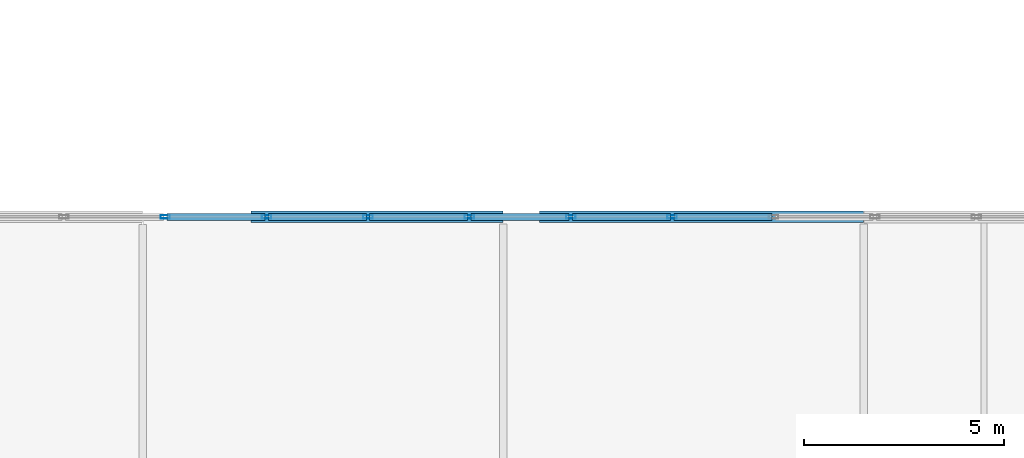
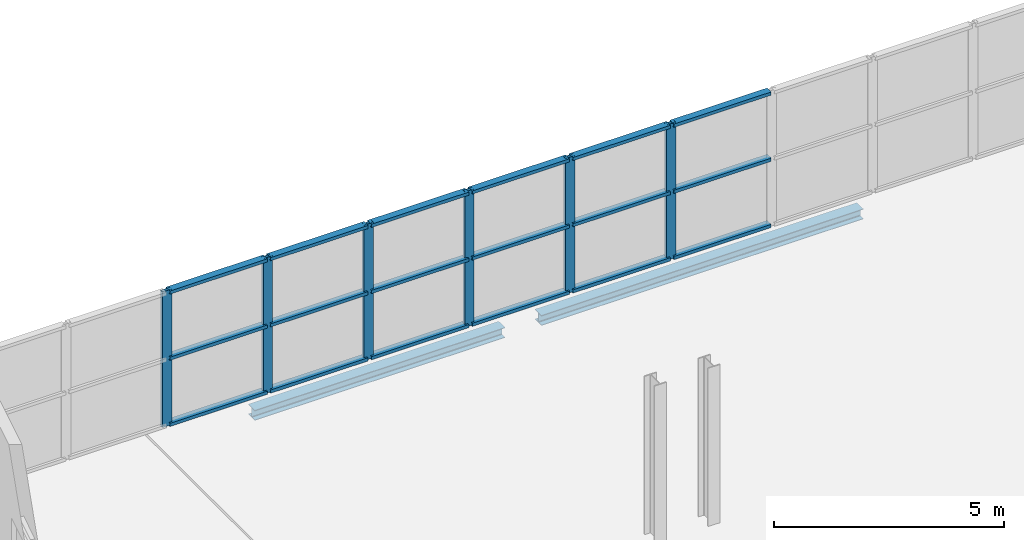
# One storey, part 61 of 88: 24 members, 2 beams, 1 element without a shape of its own.
"""IFC4 building model written with IfcOpenShell, lengths in metres."""

from ifc_helpers import new_model, si_unit, direction, frame, origin, origin_2d, place, context, subcontext, project, spatial, hollow_rectangle, i_section, extrude, material, layer, layer_set, material_profile, profile_set, type_object, element, aggregate, save


model = new_model("IFC4")

# Units and contexts
model_context = context("Model", 3, precision=1e-05, world=origin(), true_north=direction((0.0, 1.0)))
body_context = subcontext(model_context, "Body", "Model", "MODEL_VIEW")
ifc_project = project(units=[si_unit("LENGTHUNIT", "METRE"), si_unit("AREAUNIT", "SQUARE_METRE"), si_unit("VOLUMEUNIT", "CUBIC_METRE"), si_unit("PLANEANGLEUNIT", "RADIAN"), si_unit("MASSUNIT", "GRAM", prefix="KILO")], contexts=[model_context])

# Site, building, storey
site_placement = place(None, origin())
site = spatial("IfcSite", under=ifc_project, at=site_placement, CompositionType="ELEMENT")
building_placement = place(site_placement, origin())
building = spatial("IfcBuilding", under=site, at=building_placement, Name="Deido Ridge Mobility Hub", CompositionType="ELEMENT")
storey_placement = place(building_placement, frame((0.0, 0.0, 16.800048828125)))
storey = spatial("IfcBuildingStorey", under=building, at=storey_placement, Name="L04", CompositionType="ELEMENT", Elevation=16.800048828125)

# Curtain wall, members
ifc_material_1 = material(Name="Anodised aluminium EN AW-6063 T6", Category="aluminium")
ifc_layer = layer(ifc_material_1, 0.132080078125, Name="Anodised aluminium EN AW-6063 T6")
ifc_layer_set = layer_set([ifc_layer], Name="Anodised aluminium EN AW-6063 T6")
curtain_wall_type = type_object("IfcCurtainWallType", Name="CW-GS-1", PredefinedType="USERDEFINED", material=ifc_layer_set)
curtain_wall_placement = place(storey_placement, origin())
curtain_wall = element("IfcCurtainWall", 1, at=curtain_wall_placement, inside=storey, type_object=curtain_wall_type, Name="Unitised curtain wall GS1", ObjectType="GLAZED SCREEN", PredefinedType="USERDEFINED")
ifc_material_profile_1 = material_profile(ifc_material_1, hollow_rectangle(XDim=0.0849609375, YDim=0.235107421875, WallThickness=0.00390625, at=origin_2d()), Name="RHS 85x235x4")
ifc_profile_set_1 = profile_set([ifc_material_profile_1], Name="Anodised aluminium EN AW-6063 T6")
member_type_1 = type_object("IfcMemberType", Name="MEM-MUL-85X235", PredefinedType="MULLION", material=ifc_profile_set_1)
member_1_placement = place(storey_placement, frame((144.5625, 72.0, 0.0), z_axis=(0.0, 0.0, 1.0), x_axis=(0.0, 1.0, 0.0)))
member_1 = element("IfcMember", 2, at=member_1_placement, type_object=member_type_1, Name="GS1 mullion 3", PredefinedType="MULLION", context=body_context, shape_type="SweptSolid", body=[
    extrude(hollow_rectangle(XDim=0.0849609375, YDim=0.235107421875, WallThickness=0.00390625, at=origin_2d()), origin(), (0.0, 0.0, 1.0), 3.599853515625),
])
member_2_placement = place(storey_placement, frame((147.09375, 72.0, 0.0), z_axis=(0.0, 0.0, 1.0), x_axis=(0.0, 1.0, 0.0)))
member_2 = element("IfcMember", 3, at=member_2_placement, type_object=member_type_1, Name="GS1 mullion 4", PredefinedType="MULLION", context=body_context, shape_type="SweptSolid", body=[
    extrude(hollow_rectangle(XDim=0.0849609375, YDim=0.235107421875, WallThickness=0.00390625, at=origin_2d()), origin(), (0.0, 0.0, 1.0), 3.599853515625),
])
member_3_placement = place(storey_placement, frame((149.625, 72.0, 0.0), z_axis=(0.0, 0.0, 1.0), x_axis=(0.0, 1.0, 0.0)))
member_3 = element("IfcMember", 4, at=member_3_placement, type_object=member_type_1, Name="GS1 mullion 5", PredefinedType="MULLION", context=body_context, shape_type="SweptSolid", body=[
    extrude(hollow_rectangle(XDim=0.0849609375, YDim=0.235107421875, WallThickness=0.00390625, at=origin_2d()), origin(), (0.0, 0.0, 1.0), 3.599853515625),
])
member_4_placement = place(storey_placement, frame((152.15625, 72.0, 0.0), z_axis=(0.0, 0.0, 1.0), x_axis=(0.0, 1.0, 0.0)))
member_4 = element("IfcMember", 5, at=member_4_placement, type_object=member_type_1, Name="GS1 mullion 6", PredefinedType="MULLION", context=body_context, shape_type="SweptSolid", body=[
    extrude(hollow_rectangle(XDim=0.0849609375, YDim=0.235107421875, WallThickness=0.00390625, at=origin_2d()), origin(), (0.0, 0.0, 1.0), 3.599853515625),
])
member_5_placement = place(storey_placement, frame((154.6875, 72.0, 0.0), z_axis=(0.0, 0.0, 1.0), x_axis=(0.0, 1.0, 0.0)))
member_5 = element("IfcMember", 6, at=member_5_placement, type_object=member_type_1, Name="GS1 mullion 7", PredefinedType="MULLION", context=body_context, shape_type="SweptSolid", body=[
    extrude(hollow_rectangle(XDim=0.0849609375, YDim=0.235107421875, WallThickness=0.00390625, at=origin_2d()), origin(), (0.0, 0.0, 1.0), 3.599853515625),
])
member_6_placement = place(storey_placement, frame((157.21875, 72.0, 0.0), z_axis=(0.0, 0.0, 1.0), x_axis=(0.0, 1.0, 0.0)))
member_6 = element("IfcMember", 7, at=member_6_placement, type_object=member_type_1, Name="GS1 mullion 8", PredefinedType="MULLION", context=body_context, shape_type="SweptSolid", body=[
    extrude(hollow_rectangle(XDim=0.0849609375, YDim=0.235107421875, WallThickness=0.00390625, at=origin_2d()), origin(), (0.0, 0.0, 1.0), 3.599853515625),
])
ifc_material_profile_2 = material_profile(ifc_material_1, hollow_rectangle(XDim=0.175048828125, YDim=0.0849609375, WallThickness=0.00390625, at=origin_2d()), Name="RHS 175x85x4")
ifc_profile_set_2 = profile_set([ifc_material_profile_2], Name="Anodised aluminium EN AW-6063 T6")
member_type_2 = type_object("IfcMemberType", Name="MEM-TRN-175X85", PredefinedType="USERDEFINED", material=ifc_profile_set_2)
member_7_placement = place(storey_placement, frame((144.60498046875, 72.0, 0.04248046875), z_axis=(1.0, 0.0, 0.0), x_axis=(0.0, 1.0, 0.0)))
member_7 = element("IfcMember", 8, at=member_7_placement, type_object=member_type_2, Name="GS1 transom 3.1", ObjectType="TRANSOM", PredefinedType="USERDEFINED", context=body_context, shape_type="SweptSolid", body=[
    extrude(hollow_rectangle(XDim=0.175048828125, YDim=0.0849609375, WallThickness=0.00390625, at=origin_2d()), origin(), (0.0, 0.0, 1.0), 2.4462890625),
])
member_8_placement = place(storey_placement, frame((144.60498046875, 72.0, 1.800048828125), z_axis=(1.0, 0.0, 0.0), x_axis=(0.0, 1.0, 0.0)))
member_8 = element("IfcMember", 9, at=member_8_placement, type_object=member_type_2, Name="GS1 transom 3.2", ObjectType="TRANSOM", PredefinedType="USERDEFINED", context=body_context, shape_type="SweptSolid", body=[
    extrude(hollow_rectangle(XDim=0.175048828125, YDim=0.0849609375, WallThickness=0.00390625, at=origin_2d()), origin(), (0.0, 0.0, 1.0), 2.4462890625),
])
member_9_placement = place(storey_placement, frame((144.60498046875, 72.0, 3.557373046875), z_axis=(1.0, 0.0, 0.0), x_axis=(0.0, 1.0, 0.0)))
member_9 = element("IfcMember", 10, at=member_9_placement, type_object=member_type_2, Name="GS1 transom 3.3", ObjectType="TRANSOM", PredefinedType="USERDEFINED", context=body_context, shape_type="SweptSolid", body=[
    extrude(hollow_rectangle(XDim=0.175048828125, YDim=0.0849609375, WallThickness=0.00390625, at=origin_2d()), origin(), (0.0, 0.0, 1.0), 2.4462890625),
])
member_10_placement = place(storey_placement, frame((147.13623046875, 72.0, 0.04248046875), z_axis=(1.0, 0.0, 0.0), x_axis=(0.0, 1.0, 0.0)))
member_10 = element("IfcMember", 11, at=member_10_placement, type_object=member_type_2, Name="GS1 transom 4.1", ObjectType="TRANSOM", PredefinedType="USERDEFINED", context=body_context, shape_type="SweptSolid", body=[
    extrude(hollow_rectangle(XDim=0.175048828125, YDim=0.0849609375, WallThickness=0.00390625, at=origin_2d()), origin(), (0.0, 0.0, 1.0), 2.4462890625),
])
member_11_placement = place(storey_placement, frame((147.13623046875, 72.0, 1.800048828125), z_axis=(1.0, 0.0, 0.0), x_axis=(0.0, 1.0, 0.0)))
member_11 = element("IfcMember", 12, at=member_11_placement, type_object=member_type_2, Name="GS1 transom 4.2", ObjectType="TRANSOM", PredefinedType="USERDEFINED", context=body_context, shape_type="SweptSolid", body=[
    extrude(hollow_rectangle(XDim=0.175048828125, YDim=0.0849609375, WallThickness=0.00390625, at=origin_2d()), origin(), (0.0, 0.0, 1.0), 2.4462890625),
])
member_12_placement = place(storey_placement, frame((147.13623046875, 72.0, 3.557373046875), z_axis=(1.0, 0.0, 0.0), x_axis=(0.0, 1.0, 0.0)))
member_12 = element("IfcMember", 13, at=member_12_placement, type_object=member_type_2, Name="GS1 transom 4.3", ObjectType="TRANSOM", PredefinedType="USERDEFINED", context=body_context, shape_type="SweptSolid", body=[
    extrude(hollow_rectangle(XDim=0.175048828125, YDim=0.0849609375, WallThickness=0.00390625, at=origin_2d()), origin(), (0.0, 0.0, 1.0), 2.4462890625),
])
member_13_placement = place(storey_placement, frame((149.66748046875, 72.0, 0.04248046875), z_axis=(1.0, 0.0, 0.0), x_axis=(0.0, 1.0, 0.0)))
member_13 = element("IfcMember", 14, at=member_13_placement, type_object=member_type_2, Name="GS1 transom 5.1", ObjectType="TRANSOM", PredefinedType="USERDEFINED", context=body_context, shape_type="SweptSolid", body=[
    extrude(hollow_rectangle(XDim=0.175048828125, YDim=0.0849609375, WallThickness=0.00390625, at=origin_2d()), origin(), (0.0, 0.0, 1.0), 2.4462890625),
])
member_14_placement = place(storey_placement, frame((149.66748046875, 72.0, 1.800048828125), z_axis=(1.0, 0.0, 0.0), x_axis=(0.0, 1.0, 0.0)))
member_14 = element("IfcMember", 15, at=member_14_placement, type_object=member_type_2, Name="GS1 transom 5.2", ObjectType="TRANSOM", PredefinedType="USERDEFINED", context=body_context, shape_type="SweptSolid", body=[
    extrude(hollow_rectangle(XDim=0.175048828125, YDim=0.0849609375, WallThickness=0.00390625, at=origin_2d()), origin(), (0.0, 0.0, 1.0), 2.4462890625),
])
member_15_placement = place(storey_placement, frame((149.66748046875, 72.0, 3.557373046875), z_axis=(1.0, 0.0, 0.0), x_axis=(0.0, 1.0, 0.0)))
member_15 = element("IfcMember", 16, at=member_15_placement, type_object=member_type_2, Name="GS1 transom 5.3", ObjectType="TRANSOM", PredefinedType="USERDEFINED", context=body_context, shape_type="SweptSolid", body=[
    extrude(hollow_rectangle(XDim=0.175048828125, YDim=0.0849609375, WallThickness=0.00390625, at=origin_2d()), origin(), (0.0, 0.0, 1.0), 2.4462890625),
])
member_16_placement = place(storey_placement, frame((152.19873046875, 72.0, 0.04248046875), z_axis=(1.0, 0.0, 0.0), x_axis=(0.0, 1.0, 0.0)))
member_16 = element("IfcMember", 17, at=member_16_placement, type_object=member_type_2, Name="GS1 transom 6.1", ObjectType="TRANSOM", PredefinedType="USERDEFINED", context=body_context, shape_type="SweptSolid", body=[
    extrude(hollow_rectangle(XDim=0.175048828125, YDim=0.0849609375, WallThickness=0.00390625, at=origin_2d()), origin(), (0.0, 0.0, 1.0), 2.4462890625),
])
member_17_placement = place(storey_placement, frame((152.19873046875, 72.0, 1.800048828125), z_axis=(1.0, 0.0, 0.0), x_axis=(0.0, 1.0, 0.0)))
member_17 = element("IfcMember", 18, at=member_17_placement, type_object=member_type_2, Name="GS1 transom 6.2", ObjectType="TRANSOM", PredefinedType="USERDEFINED", context=body_context, shape_type="SweptSolid", body=[
    extrude(hollow_rectangle(XDim=0.175048828125, YDim=0.0849609375, WallThickness=0.00390625, at=origin_2d()), origin(), (0.0, 0.0, 1.0), 2.4462890625),
])
member_18_placement = place(storey_placement, frame((152.19873046875, 72.0, 3.557373046875), z_axis=(1.0, 0.0, 0.0), x_axis=(0.0, 1.0, 0.0)))
member_18 = element("IfcMember", 19, at=member_18_placement, type_object=member_type_2, Name="GS1 transom 6.3", ObjectType="TRANSOM", PredefinedType="USERDEFINED", context=body_context, shape_type="SweptSolid", body=[
    extrude(hollow_rectangle(XDim=0.175048828125, YDim=0.0849609375, WallThickness=0.00390625, at=origin_2d()), origin(), (0.0, 0.0, 1.0), 2.4462890625),
])
member_19_placement = place(storey_placement, frame((154.72998046875, 72.0, 0.04248046875), z_axis=(1.0, 0.0, 0.0), x_axis=(0.0, 1.0, 0.0)))
member_19 = element("IfcMember", 20, at=member_19_placement, type_object=member_type_2, Name="GS1 transom 7.1", ObjectType="TRANSOM", PredefinedType="USERDEFINED", context=body_context, shape_type="SweptSolid", body=[
    extrude(hollow_rectangle(XDim=0.175048828125, YDim=0.0849609375, WallThickness=0.00390625, at=origin_2d()), origin(), (0.0, 0.0, 1.0), 2.4462890625),
])
member_20_placement = place(storey_placement, frame((154.72998046875, 72.0, 1.800048828125), z_axis=(1.0, 0.0, 0.0), x_axis=(0.0, 1.0, 0.0)))
member_20 = element("IfcMember", 21, at=member_20_placement, type_object=member_type_2, Name="GS1 transom 7.2", ObjectType="TRANSOM", PredefinedType="USERDEFINED", context=body_context, shape_type="SweptSolid", body=[
    extrude(hollow_rectangle(XDim=0.175048828125, YDim=0.0849609375, WallThickness=0.00390625, at=origin_2d()), origin(), (0.0, 0.0, 1.0), 2.4462890625),
])
member_21_placement = place(storey_placement, frame((154.72998046875, 72.0, 3.557373046875), z_axis=(1.0, 0.0, 0.0), x_axis=(0.0, 1.0, 0.0)))
member_21 = element("IfcMember", 22, at=member_21_placement, type_object=member_type_2, Name="GS1 transom 7.3", ObjectType="TRANSOM", PredefinedType="USERDEFINED", context=body_context, shape_type="SweptSolid", body=[
    extrude(hollow_rectangle(XDim=0.175048828125, YDim=0.0849609375, WallThickness=0.00390625, at=origin_2d()), origin(), (0.0, 0.0, 1.0), 2.4462890625),
])
member_22_placement = place(storey_placement, frame((157.26123046875, 72.0, 0.04248046875), z_axis=(1.0, 0.0, 0.0), x_axis=(0.0, 1.0, 0.0)))
member_22 = element("IfcMember", 23, at=member_22_placement, type_object=member_type_2, Name="GS1 transom 8.1", ObjectType="TRANSOM", PredefinedType="USERDEFINED", context=body_context, shape_type="SweptSolid", body=[
    extrude(hollow_rectangle(XDim=0.175048828125, YDim=0.0849609375, WallThickness=0.00390625, at=origin_2d()), origin(), (0.0, 0.0, 1.0), 2.4462890625),
])
member_23_placement = place(storey_placement, frame((157.26123046875, 72.0, 1.800048828125), z_axis=(1.0, 0.0, 0.0), x_axis=(0.0, 1.0, 0.0)))
member_23 = element("IfcMember", 24, at=member_23_placement, type_object=member_type_2, Name="GS1 transom 8.2", ObjectType="TRANSOM", PredefinedType="USERDEFINED", context=body_context, shape_type="SweptSolid", body=[
    extrude(hollow_rectangle(XDim=0.175048828125, YDim=0.0849609375, WallThickness=0.00390625, at=origin_2d()), origin(), (0.0, 0.0, 1.0), 2.4462890625),
])
member_24_placement = place(storey_placement, frame((157.26123046875, 72.0, 3.557373046875), z_axis=(1.0, 0.0, 0.0), x_axis=(0.0, 1.0, 0.0)))
member_24 = element("IfcMember", 25, at=member_24_placement, type_object=member_type_2, Name="GS1 transom 8.3", ObjectType="TRANSOM", PredefinedType="USERDEFINED", context=body_context, shape_type="SweptSolid", body=[
    extrude(hollow_rectangle(XDim=0.175048828125, YDim=0.0849609375, WallThickness=0.00390625, at=origin_2d()), origin(), (0.0, 0.0, 1.0), 2.4462890625),
])
aggregate(curtain_wall, [member_1, member_2, member_3, member_4, member_5, member_6, member_7, member_8, member_9, member_10, member_11, member_12, member_13, member_14, member_15, member_16, member_17, member_18, member_19, member_20, member_21, member_22, member_23, member_24])

# Beams
ifc_material_2 = material(Name="Steel S355J2 EN 10025-2", Category="steel")
ifc_material_profile_3 = material_profile(ifc_material_2, i_section(OverallWidth=0.280029296875, OverallDepth=0.27001953125, WebThickness=0.008056640625, FlangeThickness=0.012939453125, FilletRadius=0.02392578125, at=origin_2d()), Name="HEA 280")
ifc_profile_set_3 = profile_set([ifc_material_profile_3], Name="Steel S355J2 EN 10025-2")
beam_type = type_object("IfcBeamType", Name="SPD-HEA280", PredefinedType="SPANDREL", material=ifc_profile_set_3)
beam_1_placement = place(storey_placement, frame((146.706298828125, 72.0, -0.41015625), z_axis=(1.0, 0.0, 0.0), x_axis=(0.0, 1.0, 0.0)))
element("IfcBeam", 26, at=beam_1_placement, inside=storey, type_object=beam_type, Name="Floor beam SP2", PredefinedType="SPANDREL", context=body_context, shape_type="SweptSolid", body=[
    extrude(i_section(OverallWidth=0.280029296875, OverallDepth=0.27001953125, WebThickness=0.008056640625, FlangeThickness=0.012939453125, FilletRadius=0.02392578125, at=origin_2d()), origin(), (0.0, 0.0, 1.0), 6.28759765625),
])
beam_2_placement = place(storey_placement, frame((153.90625, 72.0, -0.41015625), z_axis=(1.0, 0.0, 0.0), x_axis=(0.0, 1.0, 0.0)))
element("IfcBeam", 27, at=beam_2_placement, inside=storey, type_object=beam_type, Name="Floor beam SP2", PredefinedType="SPANDREL", context=body_context, shape_type="SweptSolid", body=[
    extrude(i_section(OverallWidth=0.280029296875, OverallDepth=0.27001953125, WebThickness=0.008056640625, FlangeThickness=0.012939453125, FilletRadius=0.02392578125, at=origin_2d()), origin(), (0.0, 0.0, 1.0), 8.087646484375),
])

save(model, "model.ifc")
